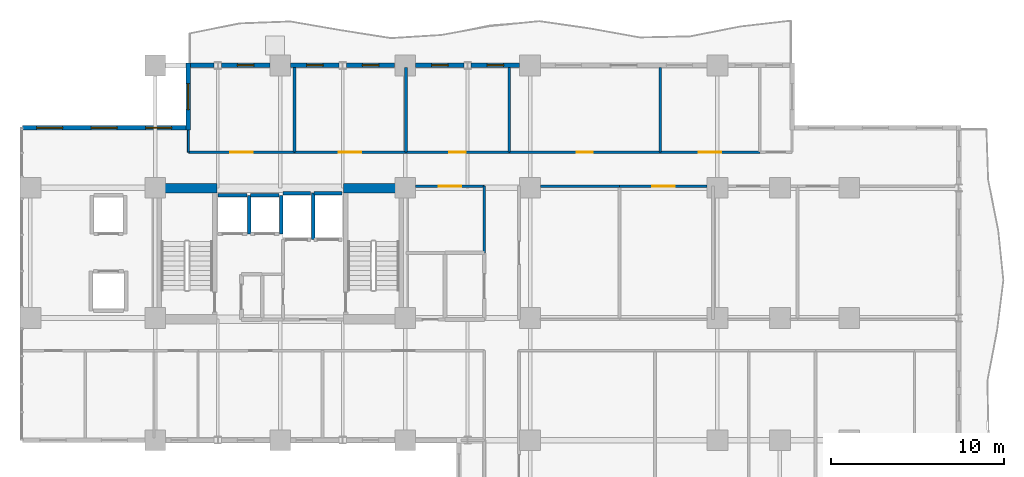
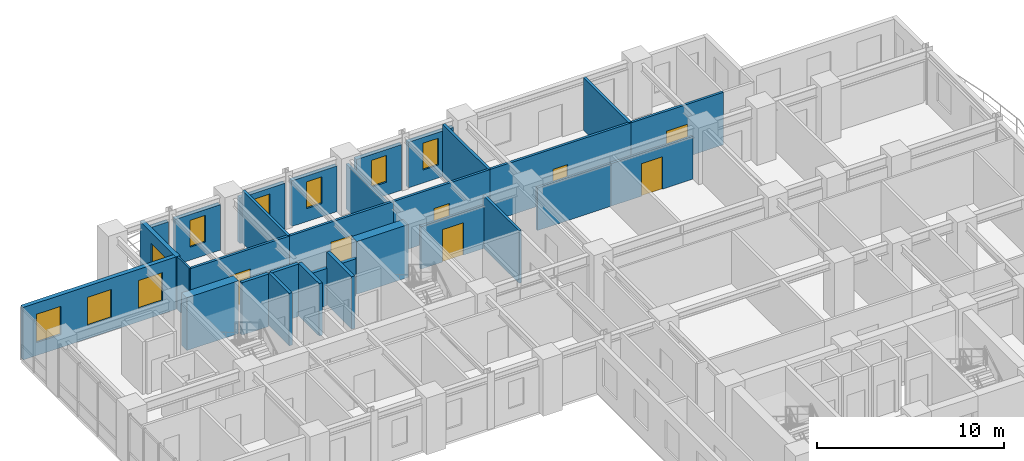
# One storey, part 12 of 17: 31 walls, 9 windows, 7 doors, 16 openings.
"""IFC4 building model written with IfcOpenShell, lengths in metres."""

from ifc_helpers import new_model, si_unit, direction, frame, frame_2d, origin, place, context, subcontext, project, spatial, rectangle, extrude, material, layer, layer_set, type_object, element, fill, save


model = new_model("IFC4")

# Units and contexts
model_context = context("Model", 3, precision=1e-05, world=origin(), true_north=direction((0.0, 1.0)))
body_context = subcontext(model_context, "Body", "Model", "MODEL_VIEW")
ifc_project = project(units=[si_unit("LENGTHUNIT", "METRE"), si_unit("AREAUNIT", "SQUARE_METRE"), si_unit("VOLUMEUNIT", "CUBIC_METRE"), si_unit("PLANEANGLEUNIT", "RADIAN"), si_unit("MASSUNIT", "GRAM", prefix="KILO")], contexts=[model_context])

# Site, building, storey
site_placement = place(None, origin())
site = spatial("IfcSite", under=ifc_project, at=site_placement, CompositionType="ELEMENT")
building_placement = place(site_placement, origin())
building = spatial("IfcBuilding", under=site, at=building_placement, Name="Kaliganga Portal Commons", CompositionType="ELEMENT")
storey_placement = place(building_placement, frame((0.0, 0.0, 108.199951171875)))
storey = spatial("IfcBuildingStorey", under=building, at=storey_placement, Name="L27", CompositionType="ELEMENT", Elevation=108.199951171875)

# Walls
ifc_material_1 = material(Name="Concrete C60/75", Category="concrete")
ifc_layer_1 = layer(ifc_material_1, 0.550048828125)
ifc_layer_set_1 = layer_set([ifc_layer_1], Name="Concrete C60/75")
wall_type_1 = type_object("IfcWallType", Name="WL-CORE-550", PredefinedType="SHEAR", material=ifc_layer_set_1)
for number, where, z_axis, x_axis, name in (
    (1, (14.75, 36.125, 0.0), (0.0, 0.0, 1.0), (1.0, 0.0, 0.0), "Core A N-West Shear Wall L27"),
    (2, (25.25, 36.125, 0.0), (0.0, 0.0, 1.0), (1.0, 0.0, 0.0), "Core A N-East Shear Wall L27"),
):
    element("IfcWall", number, at=place(storey_placement, frame(where, z_axis=z_axis, x_axis=x_axis)), inside=storey, type_object=wall_type_1, Name=name, PredefinedType="SHEAR", context=body_context, shape_type="SweptSolid", body=[
        extrude(rectangle(XDim=3.199951171875, YDim=0.550048828125, at=frame_2d((1.60009765625, 0.0))), origin(), (0.0, 0.0, 1.0), 3.449951171875),
    ])

# Wall, opening, window
ifc_material_2 = material(Name="Insulated Aluminium-Clad Spandrel Assembly", Category="aluminium")
ifc_layer_2 = layer(ifc_material_2, 0.260009765625)
ifc_layer_set_2 = layer_set([ifc_layer_2], Name="Insulated Aluminium-Clad Spandrel Assembly")
wall_type_2 = type_object("IfcWallType", Name="WL-EXT-SPAND-260", PredefinedType="STANDARD", material=ifc_layer_set_2)
wall_1_placement = place(storey_placement, frame((32.60546875, 43.199951171875, 0.0), z_axis=(0.0, 0.0, 1.0), x_axis=(1.0, 0.0, 0.0)))
wall_1 = element("IfcWall", 3, at=wall_1_placement, inside=storey, type_object=wall_type_2, Name="Exterior Envelope Wall L27 P1-E06-S3", PredefinedType="STANDARD", context=body_context, shape_type="SweptSolid", body=[
    extrude(rectangle(XDim=2.79345703125, YDim=0.260009765625, at=frame_2d((1.396728515625, 0.0))), origin(), (0.0, 0.0, 1.0), 2.97998046875),
])
opening_1_placement = place(wall_1_placement, frame((0.921875, 0.0, 0.85009765625)))
opening_1 = element("IfcOpeningElement", 4, at=opening_1_placement, cuts=wall_1, Name="Opening W-04", PredefinedType="OPENING", context=body_context, shape_type="SweptSolid", body=[
    extrude(rectangle(XDim=0.949951171875, YDim=1.75, at=frame_2d((0.47509765625, 0.875))), frame((0.0, 0.14013671875, 0.0), z_axis=(0.0, -1.0, 0.0), x_axis=(1.0, 0.0, 0.0)), (0.0, 0.0, 1.0), 0.280029296875),
])
ifc_material_3 = material(Name="Thermally Broken Aluminium and Low-E Double Glazing", Category="aluminium")
window_type_1 = type_object("IfcWindowType", Name="WIN-NARROW-950", PartitioningType="SINGLE_PANEL", PredefinedType="WINDOW", material=ifc_material_3)
window_1_placement = place(opening_1_placement, origin())
window_1 = element("IfcWindow", 5, at=window_1_placement, inside=storey, type_object=window_type_1, Name="Facade Window L27-P1E06S3-00", OverallHeight=1.75, OverallWidth=0.949951171875, PartitioningType="SINGLE_PANEL", PredefinedType="WINDOW", context=body_context, shape_type="SweptSolid", body=[
    extrude(rectangle(XDim=0.949951171875, YDim=1.75, at=frame_2d((0.47509765625, 0.875))), frame((0.0, 0.030029296875, 0.0), z_axis=(0.0, -1.0, 0.0), x_axis=(1.0, 0.0, 0.0)), (0.0, 0.0, 1.0), 0.06005859375),
])
fill(opening_1, window_1)

wall_2_placement = place(storey_placement, frame((29.40087890625, 43.199951171875, 0.0), z_axis=(0.0, 0.0, 1.0), x_axis=(1.0, 0.0, 0.0)))
wall_2 = element("IfcWall", 6, at=wall_2_placement, inside=storey, type_object=wall_type_2, Name="Exterior Envelope Wall L27 P1-E06-S4", PredefinedType="STANDARD", context=body_context, shape_type="SweptSolid", body=[
    extrude(rectangle(XDim=2.793701171875, YDim=0.260009765625, at=frame_2d((1.39697265625, 0.0))), origin(), (0.0, 0.0, 1.0), 2.97998046875),
])
opening_2_placement = place(wall_2_placement, frame((0.921630859375, 0.0, 0.85009765625)))
opening_2 = element("IfcOpeningElement", 7, at=opening_2_placement, cuts=wall_2, Name="Opening W-04", PredefinedType="OPENING", context=body_context, shape_type="SweptSolid", body=[
    extrude(rectangle(XDim=0.949951171875, YDim=1.75, at=frame_2d((0.47509765625, 0.875))), frame((0.0, 0.14013671875, 0.0), z_axis=(0.0, -1.0, 0.0), x_axis=(1.0, 0.0, 0.0)), (0.0, 0.0, 1.0), 0.280029296875),
])
window_2_placement = place(opening_2_placement, origin())
window_2 = element("IfcWindow", 8, at=window_2_placement, inside=storey, type_object=window_type_1, Name="Facade Window L27-P1E06S4-00", OverallHeight=1.75, OverallWidth=0.949951171875, PartitioningType="SINGLE_PANEL", PredefinedType="WINDOW", context=body_context, shape_type="SweptSolid", body=[
    extrude(rectangle(XDim=0.949951171875, YDim=1.75, at=frame_2d((0.47509765625, 0.875))), frame((0.0, 0.030029296875, 0.0), z_axis=(0.0, -1.0, 0.0), x_axis=(1.0, 0.0, 0.0)), (0.0, 0.0, 1.0), 0.06005859375),
])
fill(opening_2, window_2)

wall_3_placement = place(storey_placement, frame((25.405517578125, 43.199951171875, 0.0), z_axis=(0.0, 0.0, 1.0), x_axis=(1.0, 0.0, 0.0)))
wall_3 = element("IfcWall", 9, at=wall_3_placement, inside=storey, type_object=wall_type_2, Name="Exterior Envelope Wall L27 P1-E06-S5", PredefinedType="STANDARD", context=body_context, shape_type="SweptSolid", body=[
    extrude(rectangle(XDim=2.79345703125, YDim=0.260009765625, at=frame_2d((1.396728515625, 0.0))), origin(), (0.0, 0.0, 1.0), 2.97998046875),
])
opening_3_placement = place(wall_3_placement, frame((0.921875, 0.0, 0.85009765625)))
opening_3 = element("IfcOpeningElement", 10, at=opening_3_placement, cuts=wall_3, Name="Opening W-04", PredefinedType="OPENING", context=body_context, shape_type="SweptSolid", body=[
    extrude(rectangle(XDim=0.949951171875, YDim=1.75, at=frame_2d((0.47509765625, 0.875))), frame((0.0, 0.14013671875, 0.0), z_axis=(0.0, -1.0, 0.0), x_axis=(1.0, 0.0, 0.0)), (0.0, 0.0, 1.0), 0.280029296875),
])
window_3_placement = place(opening_3_placement, origin())
window_3 = element("IfcWindow", 11, at=window_3_placement, inside=storey, type_object=window_type_1, Name="Facade Window L27-P1E06S5-00", OverallHeight=1.75, OverallWidth=0.949951171875, PartitioningType="SINGLE_PANEL", PredefinedType="WINDOW", context=body_context, shape_type="SweptSolid", body=[
    extrude(rectangle(XDim=0.949951171875, YDim=1.75, at=frame_2d((0.47509765625, 0.875))), frame((0.0, 0.030029296875, 0.0), z_axis=(0.0, -1.0, 0.0), x_axis=(1.0, 0.0, 0.0)), (0.0, 0.0, 1.0), 0.06005859375),
])
fill(opening_3, window_3)

wall_4_placement = place(storey_placement, frame((22.200927734375, 43.199951171875, 0.0), z_axis=(0.0, 0.0, 1.0), x_axis=(1.0, 0.0, 0.0)))
wall_4 = element("IfcWall", 12, at=wall_4_placement, inside=storey, type_object=wall_type_2, Name="Exterior Envelope Wall L27 P1-E06-S6", PredefinedType="STANDARD", context=body_context, shape_type="SweptSolid", body=[
    extrude(rectangle(XDim=2.79345703125, YDim=0.260009765625, at=frame_2d((1.396728515625, 0.0))), origin(), (0.0, 0.0, 1.0), 2.97998046875),
])
opening_4_placement = place(wall_4_placement, frame((0.921630859375, 0.0, 0.85009765625)))
opening_4 = element("IfcOpeningElement", 13, at=opening_4_placement, cuts=wall_4, Name="Opening W-04", PredefinedType="OPENING", context=body_context, shape_type="SweptSolid", body=[
    extrude(rectangle(XDim=0.949951171875, YDim=1.75, at=frame_2d((0.47509765625, 0.875))), frame((0.0, 0.14013671875, 0.0), z_axis=(0.0, -1.0, 0.0), x_axis=(1.0, 0.0, 0.0)), (0.0, 0.0, 1.0), 0.280029296875),
])
window_4_placement = place(opening_4_placement, origin())
window_4 = element("IfcWindow", 14, at=window_4_placement, inside=storey, type_object=window_type_1, Name="Facade Window L27-P1E06S6-00", OverallHeight=1.75, OverallWidth=0.949951171875, PartitioningType="SINGLE_PANEL", PredefinedType="WINDOW", context=body_context, shape_type="SweptSolid", body=[
    extrude(rectangle(XDim=0.949951171875, YDim=1.75, at=frame_2d((0.47509765625, 0.875))), frame((0.0, 0.030029296875, 0.0), z_axis=(0.0, -1.0, 0.0), x_axis=(1.0, 0.0, 0.0)), (0.0, 0.0, 1.0), 0.06005859375),
])
fill(opening_4, window_4)

wall_5_placement = place(storey_placement, frame((18.20556640625, 43.199951171875, 0.0), z_axis=(0.0, 0.0, 1.0), x_axis=(1.0, 0.0, 0.0)))
wall_5 = element("IfcWall", 15, at=wall_5_placement, inside=storey, type_object=wall_type_2, Name="Exterior Envelope Wall L27 P1-E06-S7", PredefinedType="STANDARD", context=body_context, shape_type="SweptSolid", body=[
    extrude(rectangle(XDim=2.79345703125, YDim=0.260009765625, at=frame_2d((1.396728515625, 0.0))), origin(), (0.0, 0.0, 1.0), 2.97998046875),
])
opening_5_placement = place(wall_5_placement, frame((0.921630859375, 0.0, 0.85009765625)))
opening_5 = element("IfcOpeningElement", 16, at=opening_5_placement, cuts=wall_5, Name="Opening W-04", PredefinedType="OPENING", context=body_context, shape_type="SweptSolid", body=[
    extrude(rectangle(XDim=0.949951171875, YDim=1.75, at=frame_2d((0.47509765625, 0.875))), frame((0.0, 0.14013671875, 0.0), z_axis=(0.0, -1.0, 0.0), x_axis=(1.0, 0.0, 0.0)), (0.0, 0.0, 1.0), 0.280029296875),
])
window_5_placement = place(opening_5_placement, origin())
window_5 = element("IfcWindow", 17, at=window_5_placement, inside=storey, type_object=window_type_1, Name="Facade Window L27-P1E06S7-00", OverallHeight=1.75, OverallWidth=0.949951171875, PartitioningType="SINGLE_PANEL", PredefinedType="WINDOW", context=body_context, shape_type="SweptSolid", body=[
    extrude(rectangle(XDim=0.949951171875, YDim=1.75, at=frame_2d((0.47509765625, 0.875))), frame((0.0, 0.030029296875, 0.0), z_axis=(0.0, -1.0, 0.0), x_axis=(1.0, 0.0, 0.0)), (0.0, 0.0, 1.0), 0.06005859375),
])
fill(opening_5, window_5)

# Wall
wall_6_placement = place(storey_placement, frame((16.43505859375, 43.199951171875, 0.0), z_axis=(0.0, 0.0, 1.0), x_axis=(1.0, 0.0, 0.0)))
element("IfcWall", 18, at=wall_6_placement, inside=storey, type_object=wall_type_2, Name="Exterior Envelope Wall L27 P1-E06-S8", PredefinedType="STANDARD", context=body_context, shape_type="SweptSolid", body=[
    extrude(rectangle(XDim=1.359375, YDim=0.260009765625, at=frame_2d((0.6796875, 0.0))), origin(), (0.0, 0.0, 1.0), 2.97998046875),
])

# Wall, opening, window
wall_7_placement = place(storey_placement, frame((16.300048828125, 39.469970703125, 0.0), z_axis=(0.0, 0.0, 1.0), x_axis=(0.0, 1.0, 0.0)))
wall_7 = element("IfcWall", 19, at=wall_7_placement, inside=storey, type_object=wall_type_2, Name="Exterior Envelope Wall L27 P1-E07-S1", PredefinedType="STANDARD", context=body_context, shape_type="SweptSolid", body=[
    extrude(rectangle(XDim=3.860107421875, YDim=0.260009765625, at=frame_2d((1.93017578125, 0.0))), origin(), (0.0, 0.0, 1.0), 3.429931640625),
])
opening_6_placement = place(wall_7_placement, frame((1.179931640625, 0.0, 0.85009765625)))
opening_6 = element("IfcOpeningElement", 20, at=opening_6_placement, cuts=wall_7, Name="Opening W-02", PredefinedType="OPENING", context=body_context, shape_type="SweptSolid", body=[
    extrude(rectangle(XDim=1.5, YDim=1.85009765625, at=frame_2d((0.75, 0.925048828125))), frame((0.0, 0.14013671875, 0.0), z_axis=(0.0, -1.0, 0.0), x_axis=(1.0, 0.0, 0.0)), (0.0, 0.0, 1.0), 0.280029296875),
])
window_type_2 = type_object("IfcWindowType", Name="WIN-STD-1500", PartitioningType="DOUBLE_PANEL_VERTICAL", PredefinedType="WINDOW", material=ifc_material_3)
window_6_placement = place(opening_6_placement, origin())
window_6 = element("IfcWindow", 21, at=window_6_placement, inside=storey, type_object=window_type_2, Name="Facade Window L27-P1E07S1-00", OverallHeight=1.85009765625, OverallWidth=1.5, PartitioningType="SINGLE_PANEL", PredefinedType="WINDOW", context=body_context, shape_type="SweptSolid", body=[
    extrude(rectangle(XDim=1.5, YDim=1.85009765625, at=frame_2d((0.75, 0.925048828125))), frame((0.0, 0.030029296875, 0.0), z_axis=(0.0, -1.0, 0.0), x_axis=(1.0, 0.0, 0.0)), (0.0, 0.0, 1.0), 0.06005859375),
])
fill(opening_6, window_6)

# Wall, openings, windows
wall_8_placement = place(storey_placement, frame((6.737060546875, 39.60009765625, 0.0), z_axis=(0.0, 0.0, 1.0), x_axis=(1.0, 0.0, 0.0)))
wall_8 = element("IfcWall", 22, at=wall_8_placement, inside=storey, type_object=wall_type_2, Name="Exterior Envelope Wall L27 P1-E08-S1", PredefinedType="STANDARD", context=body_context, shape_type="SweptSolid", body=[
    extrude(rectangle(XDim=9.427978515625, YDim=0.260009765625, at=frame_2d((4.7138671875, 0.0))), origin(), (0.0, 0.0, 1.0), 3.429931640625),
])
opening_7_placement = place(wall_8_placement, frame((0.8212890625, 0.0, 0.85009765625)))
opening_7 = element("IfcOpeningElement", 23, at=opening_7_placement, cuts=wall_8, Name="Opening W-02", PredefinedType="OPENING", context=body_context, shape_type="SweptSolid", body=[
    extrude(rectangle(XDim=1.5, YDim=1.85009765625, at=frame_2d((0.75, 0.925048828125))), frame((0.0, 0.14013671875, 0.0), z_axis=(0.0, -1.0, 0.0), x_axis=(1.0, 0.0, 0.0)), (0.0, 0.0, 1.0), 0.280029296875),
])
opening_8_placement = place(wall_8_placement, frame((3.964111328125, 0.0, 0.85009765625)))
opening_8 = element("IfcOpeningElement", 24, at=opening_8_placement, cuts=wall_8, Name="Opening W-02", PredefinedType="OPENING", context=body_context, shape_type="SweptSolid", body=[
    extrude(rectangle(XDim=1.5, YDim=1.85009765625, at=frame_2d((0.75, 0.925048828125))), frame((0.0, 0.14013671875, 0.0), z_axis=(0.0, -1.0, 0.0), x_axis=(1.0, 0.0, 0.0)), (0.0, 0.0, 1.0), 0.280029296875),
])
opening_9_placement = place(wall_8_placement, frame((7.106689453125, 0.0, 0.85009765625)))
opening_9 = element("IfcOpeningElement", 25, at=opening_9_placement, cuts=wall_8, Name="Opening W-02", PredefinedType="OPENING", context=body_context, shape_type="SweptSolid", body=[
    extrude(rectangle(XDim=1.5, YDim=1.85009765625, at=frame_2d((0.75, 0.925048828125))), frame((0.0, 0.14013671875, 0.0), z_axis=(0.0, -1.0, 0.0), x_axis=(1.0, 0.0, 0.0)), (0.0, 0.0, 1.0), 0.280029296875),
])
window_7_placement = place(opening_7_placement, origin())
window_7 = element("IfcWindow", 26, at=window_7_placement, inside=storey, type_object=window_type_2, Name="Facade Window L27-P1E08S1-00", OverallHeight=1.85009765625, OverallWidth=1.5, PartitioningType="SINGLE_PANEL", PredefinedType="WINDOW", context=body_context, shape_type="SweptSolid", body=[
    extrude(rectangle(XDim=1.5, YDim=1.85009765625, at=frame_2d((0.75, 0.925048828125))), frame((0.0, 0.030029296875, 0.0), z_axis=(0.0, -1.0, 0.0), x_axis=(1.0, 0.0, 0.0)), (0.0, 0.0, 1.0), 0.06005859375),
])
fill(opening_7, window_7)
window_8_placement = place(opening_8_placement, origin())
window_8 = element("IfcWindow", 27, at=window_8_placement, inside=storey, type_object=window_type_2, Name="Facade Window L27-P1E08S1-01", OverallHeight=1.85009765625, OverallWidth=1.5, PartitioningType="SINGLE_PANEL", PredefinedType="WINDOW", context=body_context, shape_type="SweptSolid", body=[
    extrude(rectangle(XDim=1.5, YDim=1.85009765625, at=frame_2d((0.75, 0.925048828125))), frame((0.0, 0.030029296875, 0.0), z_axis=(0.0, -1.0, 0.0), x_axis=(1.0, 0.0, 0.0)), (0.0, 0.0, 1.0), 0.06005859375),
])
fill(opening_8, window_8)
window_9_placement = place(opening_9_placement, origin())
window_9 = element("IfcWindow", 28, at=window_9_placement, inside=storey, type_object=window_type_2, Name="Facade Window L27-P1E08S1-02", OverallHeight=1.85009765625, OverallWidth=1.5, PartitioningType="SINGLE_PANEL", PredefinedType="WINDOW", context=body_context, shape_type="SweptSolid", body=[
    extrude(rectangle(XDim=1.5, YDim=1.85009765625, at=frame_2d((0.75, 0.925048828125))), frame((0.0, 0.030029296875, 0.0), z_axis=(0.0, -1.0, 0.0), x_axis=(1.0, 0.0, 0.0)), (0.0, 0.0, 1.0), 0.06005859375),
])
fill(opening_9, window_9)

# Wall, opening, door
ifc_material_4 = material(Name="Fire-Rated Gypsum Board on Steel Stud", Category="steel")
ifc_layer_3 = layer(ifc_material_4, 0.14990234375)
ifc_layer_set_3 = layer_set([ifc_layer_3], Name="Fire-Rated Gypsum Board on Steel Stud")
wall_type_3 = type_object("IfcWallType", Name="WL-PART-CORR-150", PredefinedType="PARTITIONING", material=ifc_layer_set_3)
wall_9_placement = place(storey_placement, frame((34.800048828125, 38.199951171875, 0.0), z_axis=(0.0, 0.0, 1.0), x_axis=(1.0, 0.0, 0.0)))
wall_9 = element("IfcWall", 29, at=wall_9_placement, inside=storey, type_object=wall_type_3, Name="Interior Partition L27-008", PredefinedType="PARTITIONING", context=body_context, shape_type="SweptSolid", body=[
    extrude(rectangle(XDim=8.699951171875, YDim=0.14990234375, at=frame_2d((4.35009765625, 0.0))), origin(), (0.0, 0.0, 1.0), 3.429931640625),
])
opening_10_placement = place(wall_9_placement, frame((3.89990234375, 0.0, 0.0)))
opening_10 = element("IfcOpeningElement", 30, at=opening_10_placement, cuts=wall_9, Name="Opening RD-01", PredefinedType="OPENING", context=body_context, shape_type="SweptSolid", body=[
    extrude(rectangle(XDim=0.89990234375, YDim=2.080078125, at=frame_2d((0.449951171875, 1.0400390625))), frame((0.0, 0.0849609375, 0.0), z_axis=(0.0, -1.0, 0.0), x_axis=(1.0, 0.0, 0.0)), (0.0, 0.0, 1.0), 0.169921875),
])
ifc_material_5 = material(Name="Engineered Timber Flush Door", Category="wood")
door_type_1 = type_object("IfcDoorType", Name="DR-ROOM-900", OperationType="NOTDEFINED", PredefinedType="DOOR", material=ifc_material_5)
door_1_placement = place(opening_10_placement, origin())
door_1 = element("IfcDoor", 31, at=door_1_placement, inside=storey, type_object=door_type_1, Name="Interior Door L27-AN04", OperationType="SINGLE_SWING_LEFT", OverallHeight=2.080078125, OverallWidth=0.89990234375, PredefinedType="DOOR", context=body_context, shape_type="SweptSolid", body=[
    extrude(rectangle(XDim=0.89990234375, YDim=2.080078125, at=frame_2d((0.449951171875, 1.0400390625))), frame((0.0, 0.02490234375, 0.0), z_axis=(0.0, -1.0, 0.0), x_axis=(1.0, 0.0, 0.0)), (0.0, 0.0, 1.0), 0.050048828125),
])
fill(opening_10, door_1)

wall_10_placement = place(storey_placement, frame((22.419921875, 38.199951171875, 0.0), z_axis=(0.0, 0.0, 1.0), x_axis=(1.0, 0.0, 0.0)))
wall_10 = element("IfcWall", 32, at=wall_10_placement, inside=storey, type_object=wall_type_3, Name="Interior Partition L27-014", PredefinedType="PARTITIONING", context=body_context, shape_type="SweptSolid", body=[
    extrude(rectangle(XDim=6.420166015625, YDim=0.14990234375, at=frame_2d((3.2099609375, 0.0))), origin(), (0.0, 0.0, 1.0), 3.429931640625),
])
opening_11_placement = place(wall_10_placement, frame((2.56005859375, 0.0, 0.0)))
opening_11 = element("IfcOpeningElement", 33, at=opening_11_placement, cuts=wall_10, Name="Opening RD-03", PredefinedType="OPENING", context=body_context, shape_type="SweptSolid", body=[
    extrude(rectangle(XDim=1.300048828125, YDim=2.1201171875, at=frame_2d((0.64990234375, 1.06005859375))), frame((0.0, 0.0849609375, 0.0), z_axis=(0.0, -1.0, 0.0), x_axis=(1.0, 0.0, 0.0)), (0.0, 0.0, 1.0), 0.169921875),
])
ifc_material_6 = material(Name="Glazed Timber Seminar Vision Door", Category="wood")
door_type_2 = type_object("IfcDoorType", Name="DR-STUDY-1300", OperationType="DOUBLE_DOOR_SINGLE_SWING", PredefinedType="DOOR", material=ifc_material_6)
door_2_placement = place(opening_11_placement, origin())
door_2 = element("IfcDoor", 34, at=door_2_placement, inside=storey, type_object=door_type_2, Name="Interior Door L27-AN02", OperationType="DOUBLE_DOOR_SINGLE_SWING", OverallHeight=2.1201171875, OverallWidth=1.300048828125, PredefinedType="DOOR", context=body_context, shape_type="SweptSolid", body=[
    extrude(rectangle(XDim=1.300048828125, YDim=2.1201171875, at=frame_2d((0.64990234375, 1.06005859375))), frame((0.0, 0.02490234375, 0.0), z_axis=(0.0, -1.0, 0.0), x_axis=(1.0, 0.0, 0.0)), (0.0, 0.0, 1.0), 0.050048828125),
])
fill(opening_11, door_2)

wall_11_placement = place(storey_placement, frame((16.300048828125, 38.199951171875, 0.0), z_axis=(0.0, 0.0, 1.0), x_axis=(1.0, 0.0, 0.0)))
wall_11 = element("IfcWall", 35, at=wall_11_placement, inside=storey, type_object=wall_type_3, Name="Interior Partition L27-015", PredefinedType="PARTITIONING", context=body_context, shape_type="SweptSolid", body=[
    extrude(rectangle(XDim=6.119873046875, YDim=0.14990234375, at=frame_2d((3.06005859375, 0.0))), origin(), (0.0, 0.0, 1.0), 3.429931640625),
])
opening_12_placement = place(wall_11_placement, frame((2.409912109375, 0.0, 0.0)))
opening_12 = element("IfcOpeningElement", 36, at=opening_12_placement, cuts=wall_11, Name="Opening RD-03", PredefinedType="OPENING", context=body_context, shape_type="SweptSolid", body=[
    extrude(rectangle(XDim=1.300048828125, YDim=2.1201171875, at=frame_2d((0.64990234375, 1.06005859375))), frame((0.0, 0.0849609375, 0.0), z_axis=(0.0, -1.0, 0.0), x_axis=(1.0, 0.0, 0.0)), (0.0, 0.0, 1.0), 0.169921875),
])
door_3_placement = place(opening_12_placement, origin())
door_3 = element("IfcDoor", 37, at=door_3_placement, inside=storey, type_object=door_type_2, Name="Interior Door L27-AN01", OperationType="DOUBLE_DOOR_SINGLE_SWING", OverallHeight=2.1201171875, OverallWidth=1.300048828125, PredefinedType="DOOR", context=body_context, shape_type="SweptSolid", body=[
    extrude(rectangle(XDim=1.300048828125, YDim=2.1201171875, at=frame_2d((0.64990234375, 1.06005859375))), frame((0.0, 0.02490234375, 0.0), z_axis=(0.0, -1.0, 0.0), x_axis=(1.0, 0.0, 0.0)), (0.0, 0.0, 1.0), 0.050048828125),
])
fill(opening_12, door_3)

wall_12_placement = place(storey_placement, frame((28.840087890625, 38.199951171875, 0.0), z_axis=(0.0, 0.0, 1.0), x_axis=(1.0, 0.0, 0.0)))
wall_12 = element("IfcWall", 38, at=wall_12_placement, inside=storey, type_object=wall_type_3, Name="Interior Partition L27-016", PredefinedType="PARTITIONING", context=body_context, shape_type="SweptSolid", body=[
    extrude(rectangle(XDim=5.9599609375, YDim=0.14990234375, at=frame_2d((2.97998046875, 0.0))), origin(), (0.0, 0.0, 1.0), 3.429931640625),
])
opening_13_placement = place(wall_12_placement, frame((2.5048828125, 0.0, 0.0)))
opening_13 = element("IfcOpeningElement", 39, at=opening_13_placement, cuts=wall_12, Name="Opening UD-01", PredefinedType="OPENING", context=body_context, shape_type="SweptSolid", body=[
    extrude(rectangle(XDim=0.949951171875, YDim=2.10009765625, at=frame_2d((0.47509765625, 1.050048828125))), frame((0.0, 0.0849609375, 0.0), z_axis=(0.0, -1.0, 0.0), x_axis=(1.0, 0.0, 0.0)), (0.0, 0.0, 1.0), 0.169921875),
])
ifc_material_7 = material(Name="Solid-Core Timber Acoustic Fire Door", Category="wood")
door_type_3 = type_object("IfcDoorType", Name="DR-UNIT-950", OperationType="NOTDEFINED", PredefinedType="DOOR", material=ifc_material_7)
door_4_placement = place(opening_13_placement, origin())
door_4 = element("IfcDoor", 40, at=door_4_placement, inside=storey, type_object=door_type_3, Name="Interior Door L27-AN03", OperationType="SINGLE_SWING_RIGHT", OverallHeight=2.10009765625, OverallWidth=0.949951171875, PredefinedType="DOOR", context=body_context, shape_type="SweptSolid", body=[
    extrude(rectangle(XDim=0.949951171875, YDim=2.10009765625, at=frame_2d((0.47509765625, 1.050048828125))), frame((0.0, 0.02490234375, 0.0), z_axis=(0.0, -1.0, 0.0), x_axis=(1.0, 0.0, 0.0)), (0.0, 0.0, 1.0), 0.050048828125),
])
fill(opening_13, door_4)

# Wall
wall_13_placement = place(storey_placement, frame((36.60009765625, 36.239990234375, 0.0), z_axis=(0.0, 0.0, 1.0), x_axis=(1.0, 0.0, 0.0)))
element("IfcWall", 41, at=wall_13_placement, inside=storey, type_object=wall_type_3, Name="Interior Partition L27-017", PredefinedType="PARTITIONING", context=body_context, shape_type="SweptSolid", body=[
    extrude(rectangle(XDim=4.559814453125, YDim=0.14990234375, at=frame_2d((2.27978515625, 0.0))), origin(), (0.0, 0.0, 1.0), 2.780029296875),
])

# Wall, opening, door
wall_14_placement = place(storey_placement, frame((43.5, 38.199951171875, 0.0), z_axis=(0.0, 0.0, 1.0), x_axis=(1.0, 0.0, 0.0)))
wall_14 = element("IfcWall", 42, at=wall_14_placement, inside=storey, type_object=wall_type_3, Name="Interior Partition L27-018", PredefinedType="PARTITIONING", context=body_context, shape_type="SweptSolid", body=[
    extrude(rectangle(XDim=5.739990234375, YDim=0.14990234375, at=frame_2d((2.8701171875, 0.0))), origin(), (0.0, 0.0, 1.0), 3.429931640625),
])
opening_14_placement = place(wall_14_placement, frame((2.219970703125, 0.0, 0.0)))
opening_14 = element("IfcOpeningElement", 43, at=opening_14_placement, cuts=wall_14, Name="Opening RD-03", PredefinedType="OPENING", context=body_context, shape_type="SweptSolid", body=[
    extrude(rectangle(XDim=1.300048828125, YDim=2.1201171875, at=frame_2d((0.64990234375, 1.06005859375))), frame((0.0, 0.0849609375, 0.0), z_axis=(0.0, -1.0, 0.0), x_axis=(1.0, 0.0, 0.0)), (0.0, 0.0, 1.0), 0.169921875),
])
door_5_placement = place(opening_14_placement, origin())
door_5 = element("IfcDoor", 44, at=door_5_placement, inside=storey, type_object=door_type_2, Name="Interior Door L27-AN05", OperationType="DOUBLE_DOOR_SINGLE_SWING", OverallHeight=2.1201171875, OverallWidth=1.300048828125, PredefinedType="DOOR", context=body_context, shape_type="SweptSolid", body=[
    extrude(rectangle(XDim=1.300048828125, YDim=2.1201171875, at=frame_2d((0.64990234375, 1.06005859375))), frame((0.0, 0.02490234375, 0.0), z_axis=(0.0, -1.0, 0.0), x_axis=(1.0, 0.0, 0.0)), (0.0, 0.0, 1.0), 0.050048828125),
])
fill(opening_14, door_5)

wall_15_placement = place(storey_placement, frame((41.159912109375, 36.239990234375, 0.0), z_axis=(0.0, 0.0, 1.0), x_axis=(1.0, 0.0, 0.0)))
wall_15 = element("IfcWall", 45, at=wall_15_placement, inside=storey, type_object=wall_type_3, Name="Interior Partition L27-021", PredefinedType="PARTITIONING", context=body_context, shape_type="SweptSolid", body=[
    extrude(rectangle(XDim=5.0400390625, YDim=0.14990234375, at=frame_2d((2.52001953125, 0.0))), origin(), (0.0, 0.0, 1.0), 2.780029296875),
])
opening_15_placement = place(wall_15_placement, frame((1.8701171875, 0.0, 0.0)))
opening_15 = element("IfcOpeningElement", 46, at=opening_15_placement, cuts=wall_15, Name="Opening RD-03", PredefinedType="OPENING", context=body_context, shape_type="SweptSolid", body=[
    extrude(rectangle(XDim=1.300048828125, YDim=2.1201171875, at=frame_2d((0.64990234375, 1.06005859375))), frame((0.0, 0.0849609375, 0.0), z_axis=(0.0, -1.0, 0.0), x_axis=(1.0, 0.0, 0.0)), (0.0, 0.0, 1.0), 0.169921875),
])
door_6_placement = place(opening_15_placement, origin())
door_6 = element("IfcDoor", 47, at=door_6_placement, inside=storey, type_object=door_type_2, Name="Interior Door L27-BK02", OperationType="DOUBLE_DOOR_SINGLE_SWING", OverallHeight=2.1201171875, OverallWidth=1.300048828125, PredefinedType="DOOR", context=body_context, shape_type="SweptSolid", body=[
    extrude(rectangle(XDim=1.300048828125, YDim=2.1201171875, at=frame_2d((0.64990234375, 1.06005859375))), frame((0.0, 0.02490234375, 0.0), z_axis=(0.0, -1.0, 0.0), x_axis=(1.0, 0.0, 0.0)), (0.0, 0.0, 1.0), 0.050048828125),
])
fill(opening_15, door_6)

wall_16_placement = place(storey_placement, frame((29.39990234375, 36.239990234375, 0.0), z_axis=(0.0, 0.0, 1.0), x_axis=(1.0, 0.0, 0.0)))
wall_16 = element("IfcWall", 48, at=wall_16_placement, inside=storey, type_object=wall_type_3, Name="Interior Partition L27-025", PredefinedType="PARTITIONING", context=body_context, shape_type="SweptSolid", body=[
    extrude(rectangle(XDim=3.960205078125, YDim=0.14990234375, at=frame_2d((1.97998046875, 0.0))), origin(), (0.0, 0.0, 1.0), 2.780029296875),
])
opening_16_placement = place(wall_16_placement, frame((1.330078125, 0.0, 0.0)))
opening_16 = element("IfcOpeningElement", 49, at=opening_16_placement, cuts=wall_16, Name="Opening RD-03", PredefinedType="OPENING", context=body_context, shape_type="SweptSolid", body=[
    extrude(rectangle(XDim=1.300048828125, YDim=2.1201171875, at=frame_2d((0.64990234375, 1.06005859375))), frame((0.0, 0.0849609375, 0.0), z_axis=(0.0, -1.0, 0.0), x_axis=(1.0, 0.0, 0.0)), (0.0, 0.0, 1.0), 0.169921875),
])
door_7_placement = place(opening_16_placement, origin())
door_7 = element("IfcDoor", 50, at=door_7_placement, inside=storey, type_object=door_type_2, Name="Interior Door L27-CSRV_A2", OperationType="DOUBLE_DOOR_SINGLE_SWING", OverallHeight=2.1201171875, OverallWidth=1.300048828125, PredefinedType="DOOR", context=body_context, shape_type="SweptSolid", body=[
    extrude(rectangle(XDim=1.300048828125, YDim=2.1201171875, at=frame_2d((0.64990234375, 1.06005859375))), frame((0.0, 0.02490234375, 0.0), z_axis=(0.0, -1.0, 0.0), x_axis=(1.0, 0.0, 0.0)), (0.0, 0.0, 1.0), 0.050048828125),
])
fill(opening_16, door_7)

# Walls
wall_17_placement = place(storey_placement, frame((33.360107421875, 32.39990234375, 0.0), z_axis=(0.0, 0.0, 1.0), x_axis=(0.0, 1.0, 0.0)))
element("IfcWall", 51, at=wall_17_placement, inside=storey, type_object=wall_type_3, Name="Interior Partition L27-028", PredefinedType="PARTITIONING", context=body_context, shape_type="SweptSolid", body=[
    extrude(rectangle(XDim=3.840087890625, YDim=0.14990234375, at=frame_2d((1.919921875, 0.0))), origin(), (0.0, 0.0, 1.0), 3.429931640625),
])
ifc_material_8 = material(Name="Moisture-Resistant Gypsum Partition", Category="gypsum")
ifc_layer_4 = layer(ifc_material_8, 0.114990234375)
ifc_layer_set_4 = layer_set([ifc_layer_4], Name="Moisture-Resistant Gypsum Partition")
wall_type_4 = type_object("IfcWallType", Name="WL-PART-ROOM-115", PredefinedType="PARTITIONING", material=ifc_layer_set_4)
wall_18_placement = place(storey_placement, frame((16.300048828125, 38.199951171875, 0.0), z_axis=(0.0, 0.0, 1.0), x_axis=(0.0, 1.0, 0.0)))
element("IfcWall", 52, at=wall_18_placement, inside=storey, type_object=wall_type_4, Name="Interior Partition L27-061", PredefinedType="PARTITIONING", context=body_context, shape_type="SweptSolid", body=[
    extrude(rectangle(XDim=1.26806640625, YDim=0.114990234375, at=frame_2d((0.634033203125, 0.0))), origin(), (0.0, 0.0, 1.0), 3.429931640625),
])
ifc_material_9 = material(Name="Twin-Stud Acoustic Gypsum Partition", Category="gypsum")
ifc_layer_5 = layer(ifc_material_9, 0.1650390625)
ifc_layer_set_5 = layer_set([ifc_layer_5], Name="Twin-Stud Acoustic Gypsum Partition")
wall_type_5 = type_object("IfcWallType", Name="WL-PART-UNIT-165", PredefinedType="PARTITIONING", material=ifc_layer_set_5)
wall_19_placement = place(storey_placement, frame((22.419921875, 38.199951171875, 0.0), z_axis=(0.0, 0.0, 1.0), x_axis=(0.0, 1.0, 0.0)))
element("IfcWall", 53, at=wall_19_placement, inside=storey, type_object=wall_type_5, Name="Interior Partition L27-062", PredefinedType="PARTITIONING", context=body_context, shape_type="SweptSolid", body=[
    extrude(rectangle(XDim=4.8681640625, YDim=0.1650390625, at=frame_2d((2.43408203125, 0.0))), origin(), (0.0, 0.0, 1.0), 3.429931640625),
])
wall_20_placement = place(storey_placement, frame((28.840087890625, 38.199951171875, 0.0), z_axis=(0.0, 0.0, 1.0), x_axis=(0.0, 1.0, 0.0)))
element("IfcWall", 54, at=wall_20_placement, inside=storey, type_object=wall_type_5, Name="Interior Partition L27-063", PredefinedType="PARTITIONING", context=body_context, shape_type="SweptSolid", body=[
    extrude(rectangle(XDim=4.8681640625, YDim=0.1650390625, at=frame_2d((2.43408203125, 0.0))), origin(), (0.0, 0.0, 1.0), 2.929931640625),
])
for number, where, z_axis, x_axis, name in (
    (55, (34.800048828125, 38.199951171875, 0.0), (0.0, 0.0, 1.0), (0.0, 1.0, 0.0), "Interior Partition L27-064"),
    (56, (43.5, 38.199951171875, 0.0), (0.0, 0.0, 1.0), (0.0, 1.0, 0.0), "Interior Partition L27-065"),
):
    element("IfcWall", number, at=place(storey_placement, frame(where, z_axis=z_axis, x_axis=x_axis)), inside=storey, type_object=wall_type_5, Name=name, PredefinedType="PARTITIONING", context=body_context, shape_type="SweptSolid", body=[
        extrude(rectangle(XDim=4.8681640625, YDim=0.1650390625, at=frame_2d((2.43408203125, 0.0))), origin(), (0.0, 0.0, 1.0), 3.429931640625),
    ])
ifc_material_10 = material(Name="Fire-Rated Shaftwall Masonry Assembly", Category="masonry")
ifc_layer_6 = layer(ifc_material_10, 0.199951171875)
ifc_layer_set_6 = layer_set([ifc_layer_6], Name="Fire-Rated Shaftwall Masonry Assembly")
wall_type_6 = type_object("IfcWallType", Name="WL-SHAFT-200", PredefinedType="PARTITIONING", material=ifc_layer_set_6)
wall_21_placement = place(storey_placement, frame((18.02490234375, 35.715087890625, 0.0), z_axis=(0.0, 0.0, 1.0), x_axis=(1.0, 0.0, 0.0)))
element("IfcWall", 57, at=wall_21_placement, inside=storey, type_object=wall_type_6, Name="Lift PL-A1 Hoistway Shaft Wall L27-N", PredefinedType="PARTITIONING", context=body_context, shape_type="SweptSolid", body=[
    extrude(rectangle(XDim=1.650146484375, YDim=0.199951171875, at=frame_2d((0.8251953125, 0.0))), origin(), (0.0, 0.0, 1.0), 3.429931640625),
])
wall_22_placement = place(storey_placement, frame((19.81494140625, 33.485107421875, 0.0), z_axis=(0.0, 0.0, 1.0), x_axis=(0.0, 1.0, 0.0)))
element("IfcWall", 58, at=wall_22_placement, inside=storey, type_object=wall_type_6, Name="Lift PL-A1 Hoistway Shaft Wall L27-E", PredefinedType="PARTITIONING", context=body_context, shape_type="SweptSolid", body=[
    extrude(rectangle(XDim=2.22998046875, YDim=0.199951171875, at=frame_2d((1.114990234375, 0.0))), origin(), (0.0, 0.0, 1.0), 3.429931640625),
])
wall_23_placement = place(storey_placement, frame((19.875, 35.715087890625, 0.0), z_axis=(0.0, 0.0, 1.0), x_axis=(1.0, 0.0, 0.0)))
element("IfcWall", 59, at=wall_23_placement, inside=storey, type_object=wall_type_6, Name="Lift PL-A2 Hoistway Shaft Wall L27-N", PredefinedType="PARTITIONING", context=body_context, shape_type="SweptSolid", body=[
    extrude(rectangle(XDim=1.64990234375, YDim=0.199951171875, at=frame_2d((0.824951171875, 0.0))), origin(), (0.0, 0.0, 1.0), 3.429931640625),
])
wall_24_placement = place(storey_placement, frame((21.6650390625, 33.485107421875, 0.0), z_axis=(0.0, 0.0, 1.0), x_axis=(0.0, 1.0, 0.0)))
element("IfcWall", 60, at=wall_24_placement, inside=storey, type_object=wall_type_6, Name="Lift PL-A2 Hoistway Shaft Wall L27-E", PredefinedType="PARTITIONING", context=body_context, shape_type="SweptSolid", body=[
    extrude(rectangle(XDim=2.22998046875, YDim=0.199951171875, at=frame_2d((1.114990234375, 0.0))), origin(), (0.0, 0.0, 1.0), 3.429931640625),
])
wall_25_placement = place(storey_placement, frame((21.75, 35.840087890625, 0.0), z_axis=(0.0, 0.0, 1.0), x_axis=(1.0, 0.0, 0.0)))
element("IfcWall", 61, at=wall_25_placement, inside=storey, type_object=wall_type_6, Name="Lift FFL-1 Hoistway Shaft Wall L27-N", PredefinedType="PARTITIONING", context=body_context, shape_type="SweptSolid", body=[
    extrude(rectangle(XDim=1.60009765625, YDim=0.199951171875, at=frame_2d((0.800048828125, 0.0))), origin(), (0.0, 0.0, 1.0), 2.429931640625),
])
wall_26_placement = place(storey_placement, frame((23.489990234375, 33.159912109375, 0.0), z_axis=(0.0, 0.0, 1.0), x_axis=(0.0, 1.0, 0.0)))
element("IfcWall", 62, at=wall_26_placement, inside=storey, type_object=wall_type_6, Name="Lift FFL-1 Hoistway Shaft Wall L27-E", PredefinedType="PARTITIONING", context=body_context, shape_type="SweptSolid", body=[
    extrude(rectangle(XDim=2.68017578125, YDim=0.199951171875, at=frame_2d((1.340087890625, 0.0))), origin(), (0.0, 0.0, 1.0), 3.429931640625),
])
wall_27_placement = place(storey_placement, frame((23.550048828125, 35.840087890625, 0.0), z_axis=(0.0, 0.0, 1.0), x_axis=(1.0, 0.0, 0.0)))
element("IfcWall", 63, at=wall_27_placement, inside=storey, type_object=wall_type_6, Name="Lift FFL-2 Hoistway Shaft Wall L27-N", PredefinedType="PARTITIONING", context=body_context, shape_type="SweptSolid", body=[
    extrude(rectangle(XDim=1.599853515625, YDim=0.199951171875, at=frame_2d((0.7998046875, 0.0))), origin(), (0.0, 0.0, 1.0), 2.429931640625),
])

save(model, "model.ifc")
